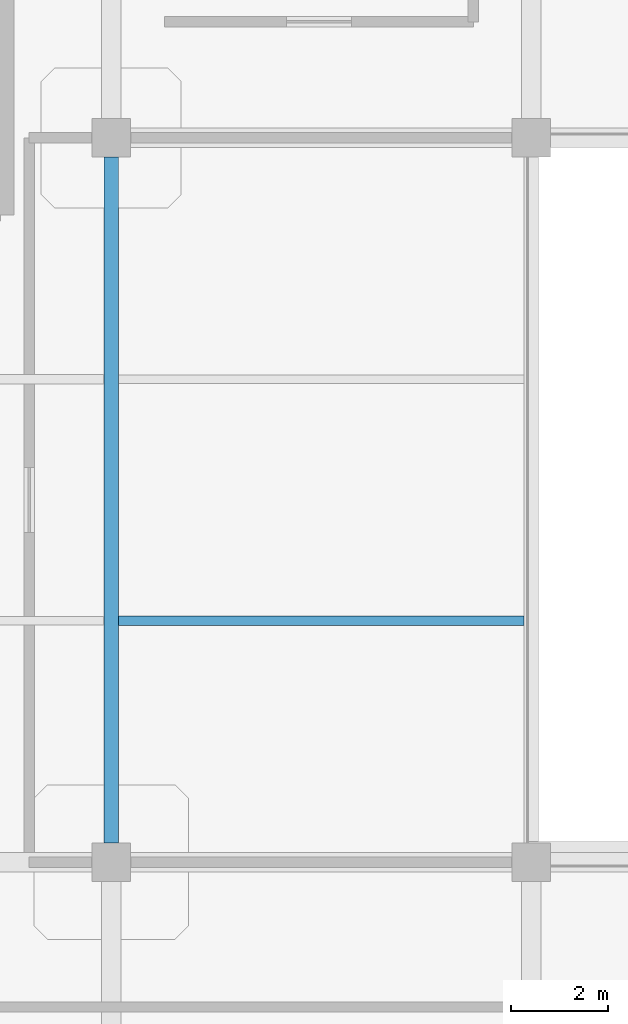
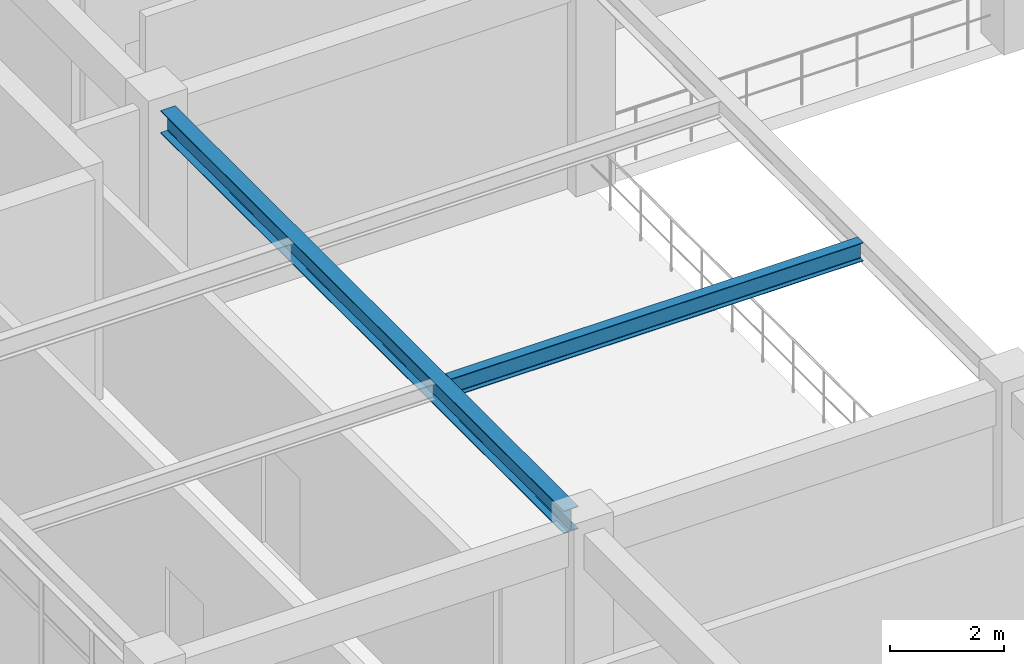
# One storey, part 27 of 96: 2 beams.
"""IFC4 building model written with IfcOpenShell, lengths in metres."""

from ifc_helpers import new_model, si_unit, derived_unit, direction, frame, origin, origin_2d, place, context, subcontext, project, spatial, i_section, extrude, material, material_profile, profile_set, type_object, element, save


model = new_model("IFC4")

# Units and contexts
model_context = context("Model", 3, precision=1e-05, world=origin(), true_north=direction((0.0, 1.0)))
body_context = subcontext(model_context, "Body", "Model", "MODEL_VIEW")
ifc_project = project(units=[si_unit("LENGTHUNIT", "METRE"), si_unit("AREAUNIT", "SQUARE_METRE"), si_unit("VOLUMEUNIT", "CUBIC_METRE"), si_unit("PLANEANGLEUNIT", "RADIAN"), si_unit("MASSUNIT", "GRAM", prefix="KILO"), derived_unit("THERMALTRANSMITTANCEUNIT", [(si_unit("MASSUNIT", "GRAM", prefix="KILO"), 1), (si_unit("TIMEUNIT", "SECOND"), -3), (si_unit("THERMODYNAMICTEMPERATUREUNIT", "KELVIN"), -1)])], contexts=[model_context])

# Site, building, storey
site_placement = place(None, origin())
site = spatial("IfcSite", under=ifc_project, at=site_placement, CompositionType="ELEMENT")
building_placement = place(site_placement, origin())
building = spatial("IfcBuilding", under=site, at=building_placement, Name="Qinzheling Arcade Emporium", CompositionType="ELEMENT")
storey_placement = place(building_placement, frame((0.0, 0.0, 21.60009765625)))
storey = spatial("IfcBuildingStorey", under=building, at=storey_placement, Name="L05", CompositionType="ELEMENT", Elevation=21.60009765625)

# Beams
ifc_material = material(Name="Structural steel Q355B", Category="steel")
ifc_material_profile_1 = material_profile(ifc_material, i_section(OverallWidth=0.300048828125, OverallDepth=0.488037109375, WebThickness=0.010986328125, FlangeThickness=0.01806640625, FilletRadius=0.02197265625, at=origin_2d()), Name="HM 488x300x11x18", Category="steel")
ifc_profile_set_1 = profile_set([ifc_material_profile_1], Name="Structural steel Q355B")
beam_type_1 = type_object("IfcBeamType", Name="Atrium Bridge Girder HM488 Q355B", PredefinedType="USERDEFINED", material=ifc_profile_set_1)
beam_1_placement = place(storey_placement, frame((43.5, 50.800048828125, 4.575927734375), z_axis=(0.0, 1.0, 0.0), x_axis=(-1.0, 0.0, 0.0)))
element("IfcBeam", 1, at=beam_1_placement, inside=storey, type_object=beam_type_1, Name="Beam BM-L05-Y-6-G", ObjectType="TRANSFER_GIRDER", PredefinedType="USERDEFINED", context=body_context, shape_type="SweptSolid", body=[
    extrude(i_section(OverallWidth=0.300048828125, OverallDepth=0.488037109375, WebThickness=0.010986328125, FlangeThickness=0.01806640625, FilletRadius=0.02197265625, at=origin_2d()), origin(), (0.0, 0.0, 1.0), 14.199951171875),
])
ifc_material_profile_2 = material_profile(ifc_material, i_section(OverallWidth=0.199951171875, OverallDepth=0.39990234375, WebThickness=0.008056640625, FlangeThickness=0.012939453125, FilletRadius=0.01611328125, at=origin_2d()), Name="HN 400x200x8x13", Category="steel")
ifc_profile_set_2 = profile_set([ifc_material_profile_2], Name="Structural steel Q355B")
beam_type_2 = type_object("IfcBeamType", Name="Storm Eave Outlooker Joist HN400 Q355B", PredefinedType="JOIST", material=ifc_profile_set_2)
beam_2_placement = place(storey_placement, frame((43.655029296875, 55.39990234375, 4.619873046875), z_axis=(1.0, 0.0, 0.0), x_axis=(0.0, 1.0, 0.0)))
element("IfcBeam", 2, at=beam_2_placement, inside=storey, type_object=beam_type_2, Name="Secondary Joist JST-L05-6-1", PredefinedType="JOIST", context=body_context, shape_type="SweptSolid", body=[
    extrude(i_section(OverallWidth=0.199951171875, OverallDepth=0.39990234375, WebThickness=0.008056640625, FlangeThickness=0.012939453125, FilletRadius=0.01611328125, at=origin_2d()), origin(), (0.0, 0.0, 1.0), 8.389892578125),
])

save(model, "model.ifc")
